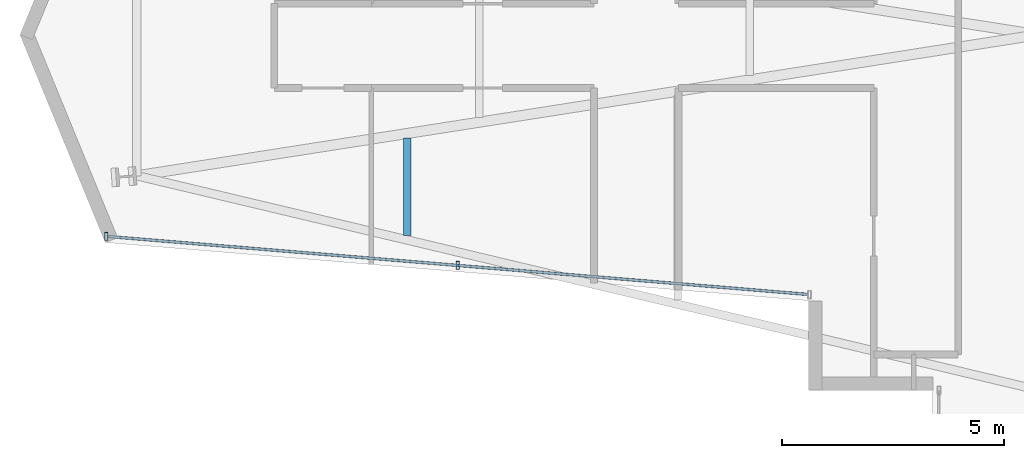
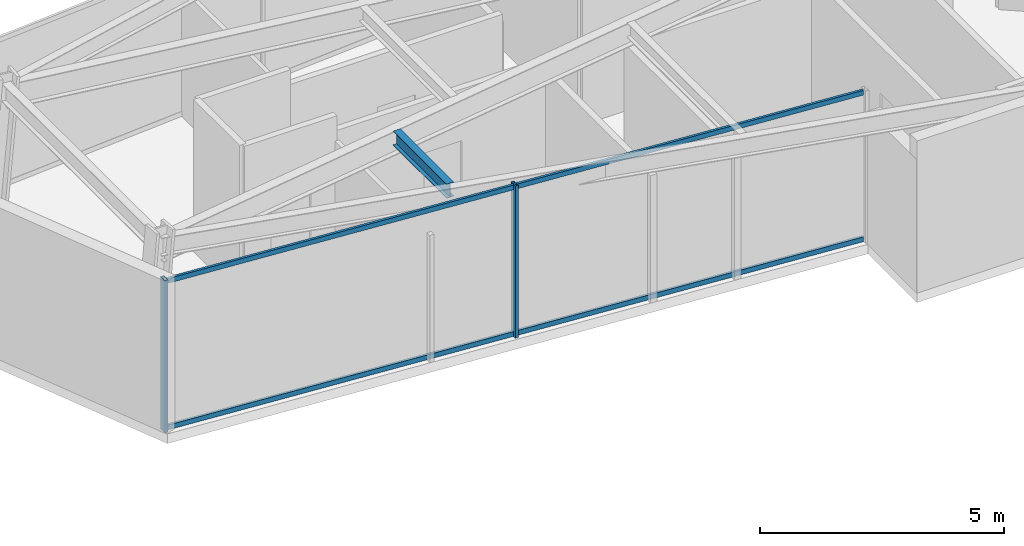
# One storey, part 2 of 24: 4 members, 1 beam, 1 element without a shape of its own.
"""IFC4 building model written with IfcOpenShell, lengths in metres."""

from ifc_helpers import new_model, si_unit, direction, frame, origin, origin_2d, place, context, subcontext, project, spatial, hollow_rectangle, i_section, extrude, material, layer, layer_set, material_profile, profile_set, type_object, element, aggregate, save


model = new_model("IFC4")

# Units and contexts
model_context = context("Model", 3, precision=1e-05, world=origin(), true_north=direction((0.0, 1.0)))
body_context = subcontext(model_context, "Body", "Model", "MODEL_VIEW")
ifc_project = project(units=[si_unit("LENGTHUNIT", "METRE"), si_unit("AREAUNIT", "SQUARE_METRE"), si_unit("VOLUMEUNIT", "CUBIC_METRE"), si_unit("PLANEANGLEUNIT", "RADIAN"), si_unit("MASSUNIT", "GRAM", prefix="KILO")], contexts=[model_context])

# Site, building, storey
site_placement = place(None, origin())
site = spatial("IfcSite", under=ifc_project, at=site_placement, CompositionType="ELEMENT")
building_placement = place(site_placement, origin())
building = spatial("IfcBuilding", under=site, at=building_placement, Name="Veymaron Broadcast Tower", CompositionType="ELEMENT")
storey_placement = place(building_placement, frame((0.0, 0.0, 124.949951171875)))
storey = spatial("IfcBuildingStorey", under=building, at=storey_placement, Name="L28", CompositionType="ELEMENT", Elevation=124.949951171875)

# Beam
ifc_material_1 = material(Name="Structural steel ASTM A992 Gr 50", Category="steel")
ifc_material_profile_1 = material_profile(ifc_material_1, i_section(OverallWidth=0.1708984375, OverallDepth=0.35498046875, WebThickness=0.007080078125, FlangeThickness=0.01171875, at=origin_2d()), Name="W360X51")
ifc_profile_set_1 = profile_set([ifc_material_profile_1], Name="Structural steel ASTM A992 Gr 50")
beam_type = type_object("IfcBeamType", Name="BM-JS2", PredefinedType="JOIST", material=ifc_profile_set_1)
beam_placement = place(storey_placement, frame((16.993408203125, 19.4775390625, 3.632568359375), z_axis=(0.0, 1.0, 0.0), x_axis=(-1.0, 0.0, 0.0)))
element("IfcBeam", 1, at=beam_placement, inside=storey, type_object=beam_type, Name="L28 Arm-A secondary joist 1S", PredefinedType="JOIST", context=body_context, shape_type="SweptSolid", body=[
    extrude(i_section(OverallWidth=0.1708984375, OverallDepth=0.35498046875, WebThickness=0.007080078125, FlangeThickness=0.01171875, at=origin_2d()), origin(), (0.0, 0.0, 1.0), 2.199951171875),
])

# Curtain wall, members
ifc_material_2 = material(Name="Anodised aluminium AA 6063-T6 and laminated low-E dark glass", Category="aluminium")
ifc_layer = layer(ifc_material_2, 0.179931640625)
ifc_layer_set = layer_set([ifc_layer], Name="Anodised aluminium AA 6063-T6 and laminated low-E dark glass")
curtain_wall_type = type_object("IfcCurtainWallType", Name="CW-SYS-03", PredefinedType="NOTDEFINED", material=ifc_layer_set)
curtain_wall_placement = place(storey_placement, origin())
curtain_wall = element("IfcCurtainWall", 2, at=curtain_wall_placement, inside=storey, type_object=curtain_wall_type, Name="L28 dark-glass curtain wall CW-L28-E14-1", PredefinedType="NOTDEFINED")
ifc_material_3 = material(Name="Anodised aluminium AA 6063-T6", Category="aluminium")
ifc_material_profile_2 = material_profile(ifc_material_3, hollow_rectangle(XDim=0.074951171875, YDim=0.179931640625, WallThickness=0.0048828125, at=origin_2d()), Name="AL180X75X5")
ifc_profile_set_2 = profile_set([ifc_material_profile_2], Name="Anodised aluminium AA 6063-T6")
member_type_1 = type_object("IfcMemberType", Name="CW-MUL-02", PredefinedType="MULLION", material=ifc_profile_set_2)
member_1_placement = place(storey_placement, frame((10.211669921875, 19.4609375, 0.0), z_axis=(0.0, 0.0, 1.0), x_axis=(1.0, 0.0, 0.0)))
member_1 = element("IfcMember", 3, at=member_1_placement, type_object=member_type_1, Name="CW-L28-E14-1 mullion 0", PredefinedType="MULLION", context=body_context, shape_type="SweptSolid", body=[
    extrude(hollow_rectangle(XDim=0.074951171875, YDim=0.179931640625, WallThickness=0.0048828125, at=origin_2d()), origin(), (0.0, 0.0, 1.0), 3.81005859375),
])
member_2_placement = place(storey_placement, frame((18.131591796875, 18.804931640625, 0.0), z_axis=(0.0, 0.0, 1.0), x_axis=(1.0, 0.0, 0.0)))
member_2 = element("IfcMember", 4, at=member_2_placement, type_object=member_type_1, Name="CW-L28-E14-1 mullion 1", PredefinedType="MULLION", context=body_context, shape_type="SweptSolid", body=[
    extrude(hollow_rectangle(XDim=0.074951171875, YDim=0.179931640625, WallThickness=0.0048828125, at=origin_2d()), origin(), (0.0, 0.0, 1.0), 3.81005859375),
])
ifc_material_profile_3 = material_profile(ifc_material_3, hollow_rectangle(XDim=0.06005859375, YDim=0.1201171875, WallThickness=0.00390625, at=origin_2d()), Name="AL120X60X4")
ifc_profile_set_3 = profile_set([ifc_material_profile_3], Name="Anodised aluminium AA 6063-T6")
member_type_2 = type_object("IfcMemberType", Name="CW-TRN-02", PredefinedType="USERDEFINED", material=ifc_profile_set_3)
member_3_placement = place(storey_placement, frame((10.261474609375, 19.456787109375, 0.070068359375), z_axis=(0.996588692575, -0.082528648555, 0.0), x_axis=(0.082528648555, 0.996588692575, 0.0)))
member_3 = element("IfcMember", 5, at=member_3_placement, type_object=member_type_2, Name="CW-L28-E14-1 transom B", ObjectType="TRANSOM", PredefinedType="USERDEFINED", context=body_context, shape_type="SweptSolid", body=[
    extrude(hollow_rectangle(XDim=0.06005859375, YDim=0.1201171875, WallThickness=0.00390625, at=origin_2d()), origin(), (0.0, 0.0, 1.0), 15.794189453125),
])
member_4_placement = place(storey_placement, frame((10.261474609375, 19.456787109375, 3.739990234375), z_axis=(0.996588692575, -0.082528648555, 0.0), x_axis=(0.082528648555, 0.996588692575, 0.0)))
member_4 = element("IfcMember", 6, at=member_4_placement, type_object=member_type_2, Name="CW-L28-E14-1 transom T", ObjectType="TRANSOM", PredefinedType="USERDEFINED", context=body_context, shape_type="SweptSolid", body=[
    extrude(hollow_rectangle(XDim=0.06005859375, YDim=0.1201171875, WallThickness=0.00390625, at=origin_2d()), origin(), (0.0, 0.0, 1.0), 15.794189453125),
])
aggregate(curtain_wall, [member_1, member_2, member_3, member_4])

save(model, "model.ifc")
